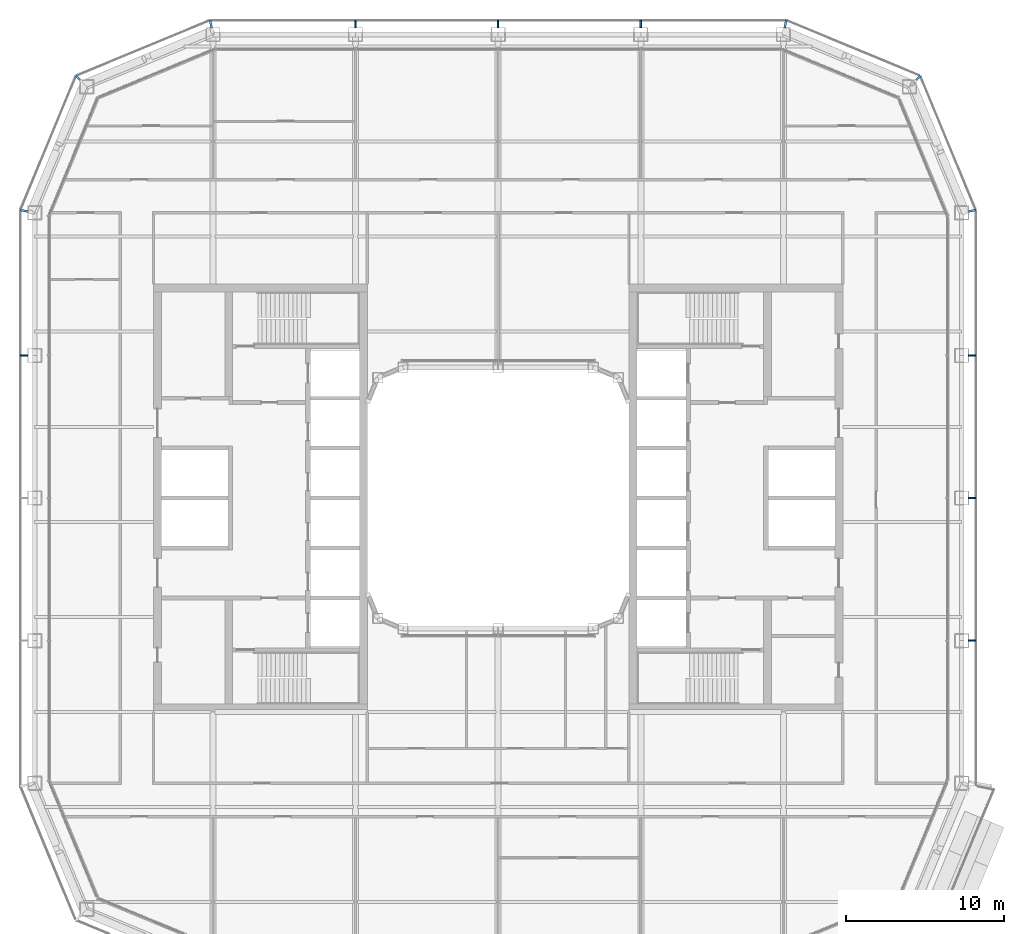
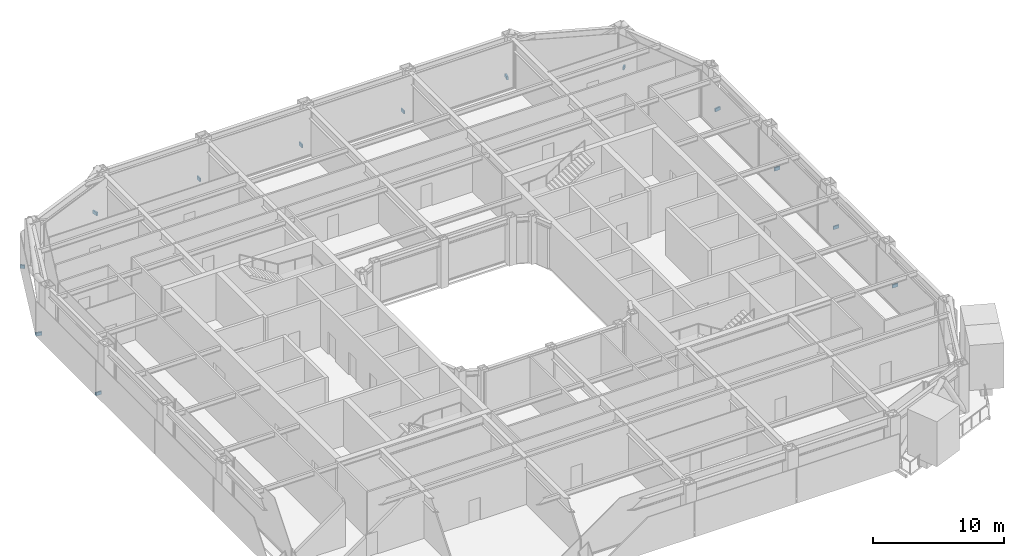
# One storey, part 17 of 23: 13 discrete accessories.
"""IFC4 building model written with IfcOpenShell, lengths in metres."""

import ifcopenshell
import ifcopenshell.guid

model = None  # the IFC model being written
_history = None  # IfcOwnerHistory: only IFC2X3 demands one
_inside = {}  # id of a spatial element -> (the spatial element, [elements in it])
_under = {}  # id of a project, library or spatial element -> (it, [spatial elements below it])
_declared = {}  # id of a project -> (the project, [libraries it declares])
_typed = {}  # id of a type object -> (the type object, [elements of that type])
_made_of = {}  # id of a material, layer set ... -> (it, [elements and type objects made of it])


def new_model(schema):
    """Start an empty IFC model of exactly this schema.

    Asked for "IFC4X3", IfcOpenShell would pick the latest addendum, in which some entities
    have other attributes; the version numbers below select the first issue.
    IFC2X3 requires an IfcOwnerHistory on every rooted entity: one is made here for all.
    """
    global model, _history
    if schema == "IFC4X3":
        model = ifcopenshell.file(schema_version=(4, 3, 0, 0))
    else:
        model = ifcopenshell.file(schema=schema)
    _inside.clear()
    _under.clear()
    _declared.clear()
    _typed.clear()
    _made_of.clear()
    _history = None
    if model.schema == "IFC2X3":
        org = make("IfcOrganization", Name="unknown")
        user = make(
            "IfcPersonAndOrganization",
            ThePerson=make("IfcPerson", FamilyName="unknown"),
            TheOrganization=org,
        )
        app = make(
            "IfcApplication",
            ApplicationDeveloper=org,
            Version="unknown",
            ApplicationFullName="unknown",
            ApplicationIdentifier="unknown",
        )
        _history = make(
            "IfcOwnerHistory",
            OwningUser=user,
            OwningApplication=app,
            ChangeAction="ADDED",
            CreationDate=0,
        )
    return model


def make(cls, **values):
    """One entity of the class cls with the attributes given. An attribute that is None is left unset."""
    return model.create_entity(
        cls, **{name: value for name, value in values.items() if value is not None}
    )


def rooted(cls, **values):
    """An entity with a GlobalId (a new one), such as an element, a storey or a relation."""
    return make(cls, GlobalId=ifcopenshell.guid.new(), OwnerHistory=_history, **values)


def si_unit(unit_type, name, prefix=None):
    """IfcSIUnit, for example si_unit("LENGTHUNIT", "METRE", prefix="MILLI")."""
    return make("IfcSIUnit", UnitType=unit_type, Prefix=prefix, Name=name)


def assignment(units):
    """IfcUnitAssignment: the units of a project."""
    return None if units is None else make("IfcUnitAssignment", Units=units)


def point(xyz):
    """IfcCartesianPoint."""
    return None if xyz is None else make("IfcCartesianPoint", Coordinates=xyz)


def direction(xyz):
    """IfcDirection."""
    return None if xyz is None else make("IfcDirection", DirectionRatios=xyz)


def frame(location, z_axis=None, x_axis=None):
    """IfcAxis2Placement3D, a coordinate frame: its origin and axes. An axis left out is left unset."""
    return make(
        "IfcAxis2Placement3D",
        Location=point(location),
        Axis=direction(z_axis),
        RefDirection=direction(x_axis),
    )


def frame_2d(location, x_axis=None):
    """IfcAxis2Placement2D, a coordinate frame in the plane: its origin and x axis."""
    return make(
        "IfcAxis2Placement2D", Location=point(location), RefDirection=direction(x_axis)
    )


def origin():
    """The frame at (0, 0, 0) with its axes left unset."""
    return frame((0.0, 0.0, 0.0))


def origin_2d():
    """The frame at (0, 0) in the plane with its x axis left unset."""
    return frame_2d((0.0, 0.0))


def place(relative_to, where):
    """IfcLocalPlacement: puts the frame where relative to a parent placement (None: the world)."""
    return make(
        "IfcLocalPlacement", PlacementRelTo=relative_to, RelativePlacement=where
    )


def context(
    kind, dimensions, precision=None, world=None, true_north=None, identifier=None
):
    """IfcGeometricRepresentationContext, for example the 3D "Model" context."""
    return make(
        "IfcGeometricRepresentationContext",
        ContextIdentifier=identifier,
        ContextType=kind,
        CoordinateSpaceDimension=dimensions,
        Precision=precision,
        WorldCoordinateSystem=world,
        TrueNorth=true_north,
    )


def subcontext(parent, identifier, kind, view, scale=None):
    """IfcGeometricRepresentationSubContext, for example "Body" below "Model"."""
    return make(
        "IfcGeometricRepresentationSubContext",
        ContextIdentifier=identifier,
        ContextType=kind,
        ParentContext=parent,
        TargetScale=scale,
        TargetView=view,
    )


def project(units=None, contexts=None):
    """IfcProject with its units and contexts."""
    return rooted(
        "IfcProject",
        Name="project",
        RepresentationContexts=contexts,
        UnitsInContext=assignment(units),
    )


def spatial(cls, under=None, at=None, **own):
    """A site, building, storey or space (cls), placed at a placement, below another one or the project."""
    s = rooted(cls, ObjectPlacement=at, **own)
    if under is not None:
        _under.setdefault(under.id(), (under, []))[1].append(s)
    return s


def profile(cls, at=None, kind="AREA", **sizes):
    """A parametric profile (cls). Its sizes go by their IFC names, for example OverallWidth=200.0."""
    return make(cls, ProfileType=kind, Position=at, **sizes)


def rectangle(**sizes):
    """IfcRectangleProfileDef."""
    return profile("IfcRectangleProfileDef", **sizes)


def extrude(swept, where, along, depth):
    """IfcExtrudedAreaSolid: the profile swept, set in the frame where, extruded along a direction by depth."""
    return make(
        "IfcExtrudedAreaSolid",
        SweptArea=swept,
        Position=where,
        ExtrudedDirection=direction(along),
        Depth=depth,
    )


def shape(context_of_items, identifier, shape_type, items):
    """IfcShapeRepresentation: the items that make up one representation, for example the "Body"."""
    return make(
        "IfcShapeRepresentation",
        ContextOfItems=context_of_items,
        RepresentationIdentifier=identifier,
        RepresentationType=shape_type,
        Items=items,
    )


def material(Name=None, Category=None):
    """IfcMaterial."""
    return make("IfcMaterial", Name=Name, Category=Category)


def made_of(thing, what):
    """Note that an element or type object is made of a material, layer set ...; save() writes the relation."""
    if what is not None:
        _made_of.setdefault(what.id(), (what, []))[1].append(thing)
    return thing


def type_object(cls, material=None, **own):
    """A type object (cls), such as IfcWallType, which elements share."""
    return made_of(rooted(cls, **own), material)


def element(
    cls,
    number,
    at=None,
    inside=None,
    cuts=None,
    type_object=None,
    material=None,
    context=None,
    identifier="Body",
    shape_type=None,
    held_by="IfcProductDefinitionShape",
    body=None,
    shapes=None,
    **own,
):
    """One element of the class cls, such as IfcWall. Its Tag is "e" and its number.

    at: its placement. inside: the storey or other place that contains it. cuts: it is an
    opening in that element (IfcRelVoidsElement). A single representation is given by context,
    identifier, shape_type and body (its items); several are given by shapes. held_by: the class
    of the entity that holds the representations. save() writes the other relations.
    """
    e = rooted(cls, Tag="e%d" % number, ObjectPlacement=at, **own)
    if body is not None:
        shapes = [shape(context, identifier, shape_type, body)]
    if shapes is not None:
        e.Representation = make(held_by, Representations=shapes)
    if inside is not None:
        _inside.setdefault(inside.id(), (inside, []))[1].append(e)
    if cuts is not None:
        rooted(
            "IfcRelVoidsElement", RelatingBuildingElement=cuts, RelatedOpeningElement=e
        )
    if type_object is not None:
        _typed.setdefault(type_object.id(), (type_object, []))[1].append(e)
    return made_of(e, material)


def aggregate(whole, parts):
    """IfcRelAggregates: a whole, such as a stair, and the parts it consists of."""
    return rooted("IfcRelAggregates", RelatingObject=whole, RelatedObjects=parts)


def save(model, path):
    """Write the relations noted so far, then the file.

    IfcRelAggregates (storeys below a building ...), IfcRelContainedInSpatialStructure (elements
    in a storey), IfcRelDefinesByType, IfcRelAssociatesMaterial and IfcRelDeclares: one each for
    every whole, place, type object, material and project.
    """
    for whole, parts in _under.values():
        aggregate(whole, parts)
    for where, things in _inside.values():
        rooted(
            "IfcRelContainedInSpatialStructure",
            RelatedElements=things,
            RelatingStructure=where,
        )
    for kind, things in _typed.values():
        rooted("IfcRelDefinesByType", RelatedObjects=things, RelatingType=kind)
    for what, things in _made_of.values():
        rooted("IfcRelAssociatesMaterial", RelatedObjects=things, RelatingMaterial=what)
    for by, libraries in _declared.values():
        rooted("IfcRelDeclares", RelatingContext=by, RelatedDefinitions=libraries)
    model.write(path)


model = new_model("IFC4")

# Units and contexts
model_context = context("Model", 3, precision=1e-05, world=origin(), true_north=direction((0.0, 1.0)))
body_context = subcontext(model_context, "Body", "Model", "MODEL_VIEW")
ifc_project = project(units=[si_unit("LENGTHUNIT", "METRE"), si_unit("AREAUNIT", "SQUARE_METRE"), si_unit("VOLUMEUNIT", "CUBIC_METRE"), si_unit("PLANEANGLEUNIT", "RADIAN"), si_unit("MASSUNIT", "GRAM", prefix="KILO")], contexts=[model_context])

# Site, building, storey
site_placement = place(None, origin())
site = spatial("IfcSite", under=ifc_project, at=site_placement, CompositionType="ELEMENT")
building_placement = place(site_placement, origin())
building = spatial("IfcBuilding", under=site, at=building_placement, Name="Siwar Civic Tower", CompositionType="ELEMENT")
storey_placement = place(building_placement, frame((0.0, 0.0, 163.199951171875)))
storey = spatial("IfcBuildingStorey", under=building, at=storey_placement, Name="L35", CompositionType="ELEMENT", Elevation=163.199951171875)

# Discrete accessories
ifc_material = material(Name="Stainless steel 316", Category="steel")
discrete_accessory_type = type_object("IfcDiscreteAccessoryType", Name="ENV-BRACKET", PredefinedType="BRACKET", material=ifc_material)
for number, where, z_axis, x_axis, name in (
    (1, (29.9150390625, -9.0, -0.14990234375), (0.0, 0.0, 1.0), (1.0, 0.0, 0.0), "Bracket outer skin joint E-01"),
    (2, (29.9150390625, 0.0, -0.14990234375), (0.0, 0.0, 1.0), (1.0, 0.0, 0.0), "Bracket outer skin joint E-02"),
    (3, (29.9150390625, 9.0, -0.14990234375), (0.0, 0.0, 1.0), (1.0, 0.0, 0.0), "Bracket outer skin joint E-03"),
    (4, (9.0, 29.9150390625, -0.14990234375), (0.0, 0.0, 1.0), (0.0, 1.0, 0.0), "Bracket outer skin joint N-01"),
    (5, (0.0, 29.9150390625, -0.14990234375), (0.0, 0.0, 1.0), (0.0, 1.0, 0.0), "Bracket outer skin joint N-02"),
    (6, (-9.0, 29.9150390625, -0.14990234375), (0.0, 0.0, 1.0), (0.0, 1.0, 0.0), "Bracket outer skin joint N-03"),
):
    element("IfcDiscreteAccessory", number, at=place(storey_placement, frame(where, z_axis=z_axis, x_axis=x_axis)), inside=storey, type_object=discrete_accessory_type, Name=name, PredefinedType="BRACKET", context=body_context, shape_type="SweptSolid", body=[
        extrude(rectangle(XDim=0.469970703125, YDim=0.10009765625, at=origin_2d()), origin(), (0.0, 0.0, 1.0), 0.300048828125),
    ])
discrete_accessory_1_placement = place(storey_placement, frame((29.915283203125, 18.13232421875, -0.14990234375), z_axis=(0.0, 0.0, 1.0), x_axis=(0.980785280403, 0.195090322016, 0.0)))
element("IfcDiscreteAccessory", 7, at=discrete_accessory_1_placement, inside=storey, type_object=discrete_accessory_type, Name="Bracket outer skin joint V04", PredefinedType="BRACKET", context=body_context, shape_type="SweptSolid", body=[
    extrude(rectangle(XDim=0.478759765625, YDim=0.13720703125, at=origin_2d()), origin(), (0.0, 0.0, 1.0), 0.300048828125),
])
discrete_accessory_2_placement = place(storey_placement, frame((26.517333984375, 26.517333984375, -0.14990234375), z_axis=(0.0, 0.0, 1.0), x_axis=(0.707106781187, 0.707106781187, 0.0)))
element("IfcDiscreteAccessory", 8, at=discrete_accessory_2_placement, inside=storey, type_object=discrete_accessory_type, Name="Bracket outer skin joint V05", PredefinedType="BRACKET", context=body_context, shape_type="SweptSolid", body=[
    extrude(rectangle(XDim=0.357666015625, YDim=0.12939453125, at=origin_2d()), origin(), (0.0, 0.0, 1.0), 0.300048828125),
])
for number, where, z_axis, x_axis, name in (
    (9, (18.13232421875, 29.915283203125, -0.14990234375), (0.0, 0.0, 1.0), (0.195090322016, 0.980785280403, 0.0), "Bracket outer skin joint V06"),
    (10, (-18.13232421875, 29.915283203125, -0.14990234375), (0.0, 0.0, 1.0), (-0.195090322016, 0.980785280403, 0.0), "Bracket outer skin joint V07"),
):
    element("IfcDiscreteAccessory", number, at=place(storey_placement, frame(where, z_axis=z_axis, x_axis=x_axis)), inside=storey, type_object=discrete_accessory_type, Name=name, PredefinedType="BRACKET", context=body_context, shape_type="SweptSolid", body=[
        extrude(rectangle(XDim=0.478759765625, YDim=0.13720703125, at=origin_2d()), origin(), (0.0, 0.0, 1.0), 0.300048828125),
    ])
discrete_accessory_3_placement = place(storey_placement, frame((-26.517333984375, 26.517333984375, -0.14990234375), z_axis=(0.0, 0.0, 1.0), x_axis=(-0.707106781187, 0.707106781187, 0.0)))
element("IfcDiscreteAccessory", 11, at=discrete_accessory_3_placement, inside=storey, type_object=discrete_accessory_type, Name="Bracket outer skin joint V08", PredefinedType="BRACKET", context=body_context, shape_type="SweptSolid", body=[
    extrude(rectangle(XDim=0.357666015625, YDim=0.12939453125, at=origin_2d()), origin(), (0.0, 0.0, 1.0), 0.300048828125),
])
discrete_accessory_4_placement = place(storey_placement, frame((-29.915283203125, 18.13232421875, -0.14990234375), z_axis=(0.0, 0.0, 1.0), x_axis=(-0.980785280403, 0.195090322016, 0.0)))
element("IfcDiscreteAccessory", 12, at=discrete_accessory_4_placement, inside=storey, type_object=discrete_accessory_type, Name="Bracket outer skin joint V09", PredefinedType="BRACKET", context=body_context, shape_type="SweptSolid", body=[
    extrude(rectangle(XDim=0.478759765625, YDim=0.13720703125, at=origin_2d()), origin(), (0.0, 0.0, 1.0), 0.300048828125),
])
discrete_accessory_5_placement = place(storey_placement, frame((-29.9150390625, 9.0, -0.14990234375), z_axis=(0.0, 0.0, 1.0), x_axis=(-1.0, 0.0, 0.0)))
element("IfcDiscreteAccessory", 13, at=discrete_accessory_5_placement, inside=storey, type_object=discrete_accessory_type, Name="Bracket outer skin joint W-01", PredefinedType="BRACKET", context=body_context, shape_type="SweptSolid", body=[
    extrude(rectangle(XDim=0.469970703125, YDim=0.10009765625, at=origin_2d()), origin(), (0.0, 0.0, 1.0), 0.300048828125),
])

save(model, "model.ifc")
